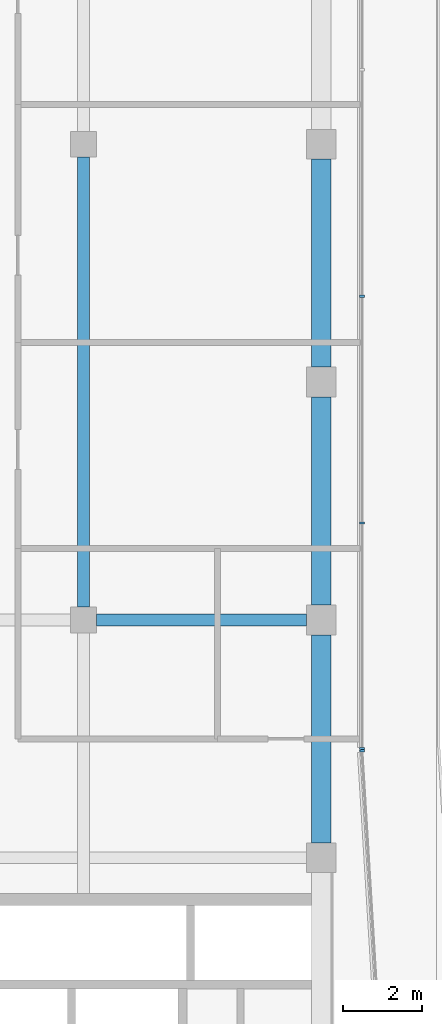
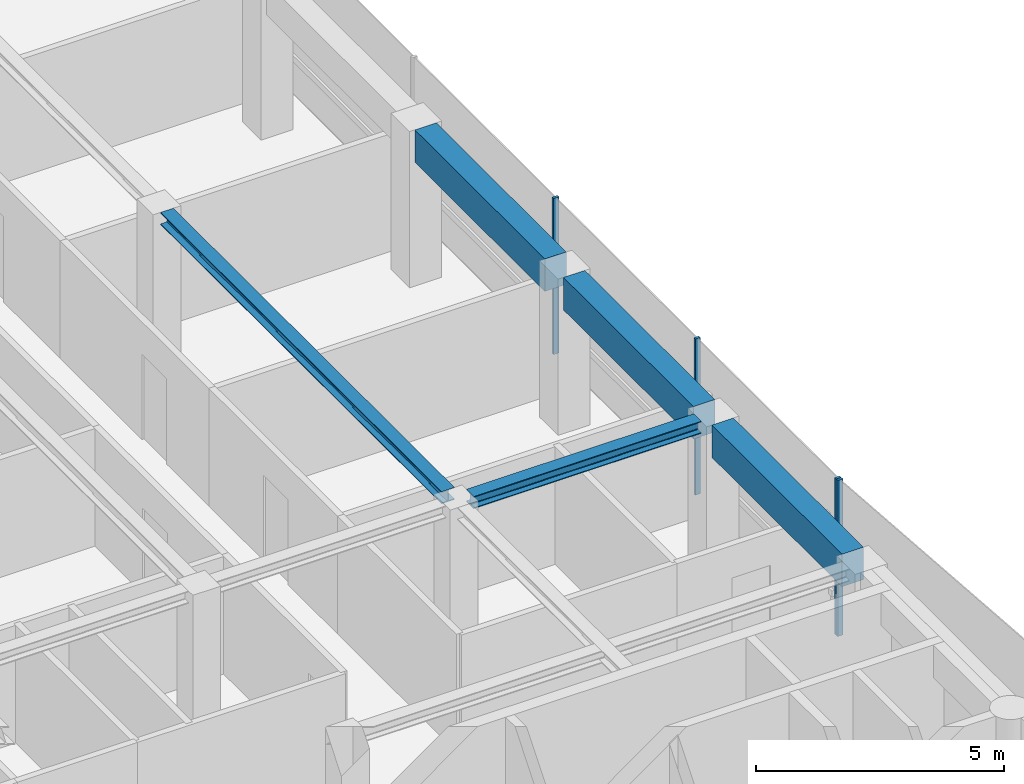
# One storey, part 10 of 21: 5 beams, 4 members, 2 elements without a shape of their own.
"""IFC4 building model written with IfcOpenShell, lengths in metres."""

from ifc_helpers import new_model, si_unit, direction, frame, origin, origin_2d, place, context, subcontext, project, spatial, rectangle, i_section, extrude, material, layer, layer_set, material_profile, profile_set, type_object, element, aggregate, save


model = new_model("IFC4")

# Units and contexts
model_context = context("Model", 3, precision=1e-05, world=origin(), true_north=direction((0.0, 1.0)))
body_context = subcontext(model_context, "Body", "Model", "MODEL_VIEW")
ifc_project = project(units=[si_unit("LENGTHUNIT", "METRE"), si_unit("AREAUNIT", "SQUARE_METRE"), si_unit("VOLUMEUNIT", "CUBIC_METRE"), si_unit("PLANEANGLEUNIT", "RADIAN"), si_unit("MASSUNIT", "GRAM", prefix="KILO")], contexts=[model_context])

# Site, building, storey
site_placement = place(None, origin())
site = spatial("IfcSite", under=ifc_project, at=site_placement, CompositionType="ELEMENT")
building_placement = place(site_placement, origin())
building = spatial("IfcBuilding", under=site, at=building_placement, Name="Welwitschia Terrace Campus", CompositionType="ELEMENT")
storey_placement = place(building_placement, frame((0.0, 0.0, 302.0)))
storey = spatial("IfcBuildingStorey", under=building, at=storey_placement, Name="L67", CompositionType="ELEMENT", Elevation=302.0)

# Beams
ifc_material_1 = material(Name="Steel S355", Category="steel")
ifc_material_profile_1 = material_profile(ifc_material_1, i_section(OverallWidth=0.300048828125, OverallDepth=0.300048828125, WebThickness=0.010986328125, FlangeThickness=0.01904296875, FilletRadius=0.027099609375, at=origin_2d()))
ifc_profile_set_1 = profile_set([ifc_material_profile_1], Name="Steel S355")
beam_type_1 = type_object("IfcBeamType", Name="Interior girder HE 300 B", PredefinedType="BEAM", material=ifc_profile_set_1)
beam_1_placement = place(storey_placement, frame((18.325439453125, 32.0, 3.699951171875), z_axis=(1.0, 0.0, 0.0), x_axis=(0.0, 1.0, 0.0)))
element("IfcBeam", 1, at=beam_1_placement, inside=storey, type_object=beam_type_1, Name="Girder GB6", PredefinedType="BEAM", context=body_context, shape_type="SweptSolid", body=[
    extrude(i_section(OverallWidth=0.300048828125, OverallDepth=0.300048828125, WebThickness=0.010986328125, FlangeThickness=0.01904296875, FilletRadius=0.027099609375, at=origin_2d()), origin(), (0.0, 0.0, 1.0), 5.30908203125),
])
beam_2_placement = place(storey_placement, frame((18.0, 32.325439453125, 3.699951171875), z_axis=(0.0, 1.0, 0.0), x_axis=(-1.0, 0.0, 0.0)))
element("IfcBeam", 2, at=beam_2_placement, inside=storey, type_object=beam_type_1, Name="Girder GB6", PredefinedType="BEAM", context=body_context, shape_type="SweptSolid", body=[
    extrude(i_section(OverallWidth=0.300048828125, OverallDepth=0.300048828125, WebThickness=0.010986328125, FlangeThickness=0.01904296875, FilletRadius=0.027099609375, at=origin_2d()), origin(), (0.0, 0.0, 1.0), 11.34912109375),
])

# Curtain wall, member
ifc_material_2 = material(Name="Bronze anodised aluminium", Category="aluminium")
ifc_layer = layer(ifc_material_2, 0.1201171875)
ifc_layer_set = layer_set([ifc_layer], Name="Bronze anodised aluminium")
curtain_wall_type = type_object("IfcCurtainWallType", Name="Curtain wall CW2 tower 6000", PredefinedType="NOTDEFINED", material=ifc_layer_set)
curtain_wall_1_placement = place(storey_placement, origin())
curtain_wall_1 = element("IfcCurtainWall", 3, at=curtain_wall_1_placement, inside=storey, type_object=curtain_wall_type, Name="CW L67.5.0", PredefinedType="NOTDEFINED")
ifc_material_3 = material(Name="Bronze anodised aluminium", Category="aluminium")
ifc_material_profile_2 = material_profile(ifc_material_3, rectangle(XDim=0.1201171875, YDim=0.06005859375, at=origin_2d()))
ifc_profile_set_2 = profile_set([ifc_material_profile_2], Name="Bronze anodised aluminium")
member_type = type_object("IfcMemberType", Name="Mullion 60x120", PredefinedType="MULLION", material=ifc_profile_set_2)
member_1_placement = place(storey_placement, frame((25.03173828125, 28.696044921875, 0.0), z_axis=(0.0, 0.0, 1.0), x_axis=(-0.998134798422, -0.061048539535, 0.0)))
member_1 = element("IfcMember", 4, at=member_1_placement, type_object=member_type, Name="Mullion L67.5.0.1", PredefinedType="MULLION", context=body_context, shape_type="SweptSolid", body=[
    extrude(rectangle(XDim=0.1201171875, YDim=0.06005859375, at=origin_2d()), origin(), (0.0, 0.0, 1.0), 3.85009765625),
])
aggregate(curtain_wall_1, [member_1])

# Curtain wall, members
curtain_wall_2_placement = place(storey_placement, origin())
curtain_wall_2 = element("IfcCurtainWall", 5, at=curtain_wall_2_placement, inside=storey, type_object=curtain_wall_type, Name="CW L67.6.0", PredefinedType="NOTDEFINED")
member_2_placement = place(storey_placement, frame((25.030029296875, 28.755859375, 0.0), z_axis=(0.0, 0.0, 1.0), x_axis=(-1.0, 0.0, 0.0)))
member_2 = element("IfcMember", 6, at=member_2_placement, type_object=member_type, Name="Mullion L67.6.0.0", PredefinedType="MULLION", context=body_context, shape_type="SweptSolid", body=[
    extrude(rectangle(XDim=0.1201171875, YDim=0.06005859375, at=origin_2d()), origin(), (0.0, 0.0, 1.0), 3.85009765625),
])
member_3_placement = place(storey_placement, frame((25.030029296875, 34.443359375, 0.0), z_axis=(0.0, 0.0, 1.0), x_axis=(-1.0, 0.0, 0.0)))
member_3 = element("IfcMember", 7, at=member_3_placement, type_object=member_type, Name="Mullion L67.6.0.1", PredefinedType="MULLION", context=body_context, shape_type="SweptSolid", body=[
    extrude(rectangle(XDim=0.1201171875, YDim=0.06005859375, at=origin_2d()), origin(), (0.0, 0.0, 1.0), 3.85009765625),
])
member_4_placement = place(storey_placement, frame((25.030029296875, 40.16064453125, 0.0), z_axis=(0.0, 0.0, 1.0), x_axis=(-1.0, 0.0, 0.0)))
member_4 = element("IfcMember", 8, at=member_4_placement, type_object=member_type, Name="Mullion L67.6.0.2", PredefinedType="MULLION", context=body_context, shape_type="SweptSolid", body=[
    extrude(rectangle(XDim=0.1201171875, YDim=0.06005859375, at=origin_2d()), origin(), (0.0, 0.0, 1.0), 3.85009765625),
])
aggregate(curtain_wall_2, [member_2, member_3, member_4])

# Beams
ifc_material_4 = material(Name="Concrete C50/60", Category="concrete")
ifc_material_profile_3 = material_profile(ifc_material_4, rectangle(XDim=0.5, YDim=0.800048828125, at=origin_2d()))
ifc_profile_set_3 = profile_set([ifc_material_profile_3], Name="Concrete C50/60")
beam_type_2 = type_object("IfcBeamType", Name="Ring spandrel 500x800", PredefinedType="SPANDREL", material=ifc_profile_set_3)
for number, where, z_axis, x_axis, name in (
    (9, (24.0, 26.37548828125, 3.449951171875), (0.0, 1.0, 0.0), (-1.0, 0.0, 0.0), "Spandrel SP4"),
    (10, (24.0, 32.37548828125, 3.449951171875), (0.0, 1.0, 0.0), (-1.0, 0.0, 0.0), "Spandrel SP4"),
    (11, (24.0, 38.37548828125, 3.449951171875), (0.0, 1.0, 0.0), (-1.0, 0.0, 0.0), "Spandrel SP4"),
):
    element("IfcBeam", number, at=place(storey_placement, frame(where, z_axis=z_axis, x_axis=x_axis)), inside=storey, type_object=beam_type_2, Name=name, PredefinedType="SPANDREL", context=body_context, shape_type="SweptSolid", body=[
        extrude(rectangle(XDim=0.5, YDim=0.800048828125, at=origin_2d()), origin(), (0.0, 0.0, 1.0), 5.2490234375),
    ])

save(model, "model.ifc")
